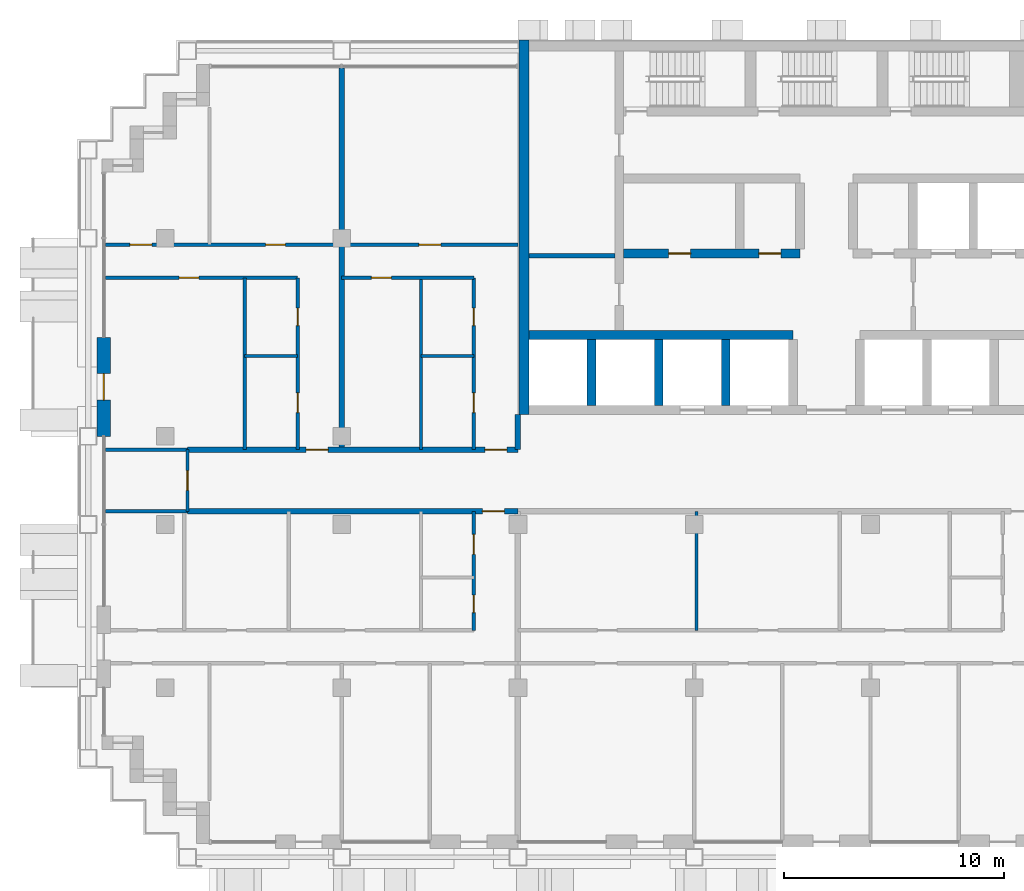
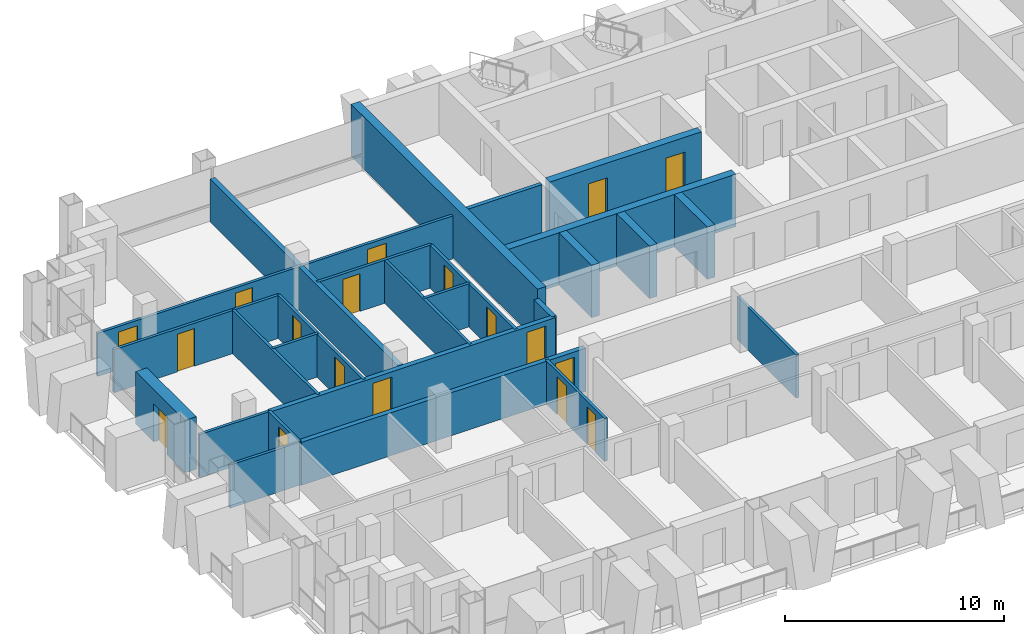
# One storey, part 8 of 17: 27 walls, 18 doors, 18 openings.
"""IFC4 building model written with IfcOpenShell, lengths in metres."""

from ifc_helpers import new_model, si_unit, direction, frame, frame_2d, origin, place, context, subcontext, project, spatial, rectangle, extrude, material, layer, layer_set, type_object, element, fill, save


model = new_model("IFC4")

# Units and contexts
model_context = context("Model", 3, precision=1e-05, world=origin(), true_north=direction((0.0, 1.0)))
body_context = subcontext(model_context, "Body", "Model", "MODEL_VIEW")
ifc_project = project(units=[si_unit("LENGTHUNIT", "METRE"), si_unit("AREAUNIT", "SQUARE_METRE"), si_unit("VOLUMEUNIT", "CUBIC_METRE"), si_unit("PLANEANGLEUNIT", "RADIAN"), si_unit("MASSUNIT", "GRAM", prefix="KILO")], contexts=[model_context])

# Site, building, storey
site_placement = place(None, origin())
site = spatial("IfcSite", under=ifc_project, at=site_placement, CompositionType="ELEMENT")
building_placement = place(site_placement, origin())
building = spatial("IfcBuilding", under=site, at=building_placement, Name="Vidyagriha Tower", CompositionType="ELEMENT")
storey_placement = place(building_placement, frame((0.0, 0.0, 139.0)))
storey = spatial("IfcBuildingStorey", under=building, at=storey_placement, Name="L36", CompositionType="ELEMENT", Elevation=139.0)

# Wall, opening, door
ifc_material_1 = material(Name="Precast concrete C40/50 with brick facing", Category="concrete")
ifc_layer_1 = layer(ifc_material_1, 0.60009765625)
ifc_layer_set_1 = layer_set([ifc_layer_1], Name="Precast concrete C40/50 with brick facing")
wall_type_1 = type_object("IfcWallType", Name="Brick-faced precast wall 600", PredefinedType="STANDARD", material=ifc_layer_set_1)
wall_1_placement = place(storey_placement, frame((-32.800048828125, 6.5, 0.0), z_axis=(0.0, 0.0, 1.0), x_axis=(0.0, -1.0, 0.0)))
wall_1 = element("IfcWall", 1, at=wall_1_placement, inside=storey, type_object=wall_type_1, Name="Brick door bay wall L36 R16.3", PredefinedType="STANDARD", context=body_context, shape_type="SweptSolid", body=[
    extrude(rectangle(XDim=4.5, YDim=0.60009765625, at=frame_2d((2.25, 0.0))), origin(), (0.0, 0.0, 1.0), 2.919921875),
])
opening_1_placement = place(wall_1_placement, frame((1.64990234375, 0.0, 0.0)))
opening_1 = element("IfcOpeningElement", 2, at=opening_1_placement, cuts=wall_1, Name="Opening D36-67", PredefinedType="OPENING", context=body_context, shape_type="SweptSolid", body=[
    extrude(rectangle(XDim=1.199951171875, YDim=2.10009765625, at=frame_2d((0.60009765625, 1.050048828125))), frame((0.0, 0.31005859375, 0.0), z_axis=(0.0, -1.0, 0.0), x_axis=(1.0, 0.0, 0.0)), (0.0, 0.0, 1.0), 0.6201171875),
])
ifc_material_2 = material(Name="Aluminium framed glazed sliding door", Category="aluminium")
door_type_1 = type_object("IfcDoorType", Name="Balcony sliding door 1200x2100", OperationType="NOTDEFINED", PredefinedType="DOOR", material=ifc_material_2)
door_1_placement = place(opening_1_placement, origin())
door_1 = element("IfcDoor", 3, at=door_1_placement, inside=storey, type_object=door_type_1, Name="Door D36-67", OperationType="SLIDING_TO_LEFT", OverallHeight=2.10009765625, OverallWidth=1.199951171875, PredefinedType="DOOR", context=body_context, shape_type="SweptSolid", body=[
    extrude(rectangle(XDim=1.199951171875, YDim=2.10009765625, at=frame_2d((0.60009765625, 1.050048828125))), frame((0.0, 0.02490234375, 0.0), z_axis=(0.0, -1.0, 0.0), x_axis=(1.0, 0.0, 0.0)), (0.0, 0.0, 1.0), 0.050048828125),
])
fill(opening_1, door_1)

# Walls
ifc_material_3 = material(Name="Concrete C60/75", Category="concrete")
ifc_layer_2 = layer(ifc_material_3, 0.39990234375)
ifc_layer_set_2 = layer_set([ifc_layer_2], Name="Concrete C60/75")
wall_type_2 = type_object("IfcWallType", Name="Core shear wall 400 mm", PredefinedType="SHEAR", material=ifc_layer_set_2)
wall_2_placement = place(storey_placement, frame((-13.5, 6.60009765625, 0.0)))
element("IfcWall", 4, at=wall_2_placement, inside=storey, type_object=wall_type_2, Name="Core lobby south wall west", PredefinedType="SHEAR", context=body_context, shape_type="SweptSolid", body=[
    extrude(rectangle(XDim=11.977783203125, YDim=0.39990234375, at=frame_2d((5.98876953125, 0.0))), origin(), (0.0, 0.0, 1.0), 2.919921875),
])
for number, where, z_axis, x_axis, name in (
    (5, (-10.655517578125, 3.39990234375, 0.0), (0.0, 0.0, 1.0), (0.0, 1.0, 0.0), "Core bay wall S1"),
    (6, (-7.611083984375, 3.39990234375, 0.0), (0.0, 0.0, 1.0), (0.0, 1.0, 0.0), "Core bay wall S2"),
    (7, (-4.566650390625, 3.39990234375, 0.0), (0.0, 0.0, 1.0), (0.0, 1.0, 0.0), "Core bay wall S3"),
):
    element("IfcWall", number, at=place(storey_placement, frame(where, z_axis=z_axis, x_axis=x_axis)), inside=storey, type_object=wall_type_2, Name=name, PredefinedType="SHEAR", context=body_context, shape_type="SweptSolid", body=[
        extrude(rectangle(XDim=3.0, YDim=0.39990234375, at=frame_2d((1.5, 0.0))), origin(), (0.0, 0.0, 1.0), 2.919921875),
    ])

# Wall, openings, doors
wall_3_placement = place(storey_placement, frame((-9.199951171875, 10.300048828125, 0.0)))
wall_3 = element("IfcWall", 8, at=wall_3_placement, inside=storey, type_object=wall_type_2, Name="Core row N front wall", PredefinedType="SHEAR", context=body_context, shape_type="SweptSolid", body=[
    extrude(rectangle(XDim=8.0, YDim=0.39990234375, at=frame_2d((4.0, 0.0))), origin(), (0.0, 0.0, 1.0), 2.919921875),
])
opening_2_placement = place(wall_3_placement, frame((2.033203125, 0.0, 0.0)))
opening_2 = element("IfcOpeningElement", 9, at=opening_2_placement, cuts=wall_3, Name="Opening D36-02", PredefinedType="OPENING", context=body_context, shape_type="SweptSolid", body=[
    extrude(rectangle(XDim=1.0, YDim=2.10009765625, at=frame_2d((0.5, 1.050048828125))), frame((0.0, 0.2099609375, 0.0), z_axis=(0.0, -1.0, 0.0), x_axis=(1.0, 0.0, 0.0)), (0.0, 0.0, 1.0), 0.419921875),
])
opening_3_placement = place(wall_3_placement, frame((6.13330078125, 0.0, 0.0)))
opening_3 = element("IfcOpeningElement", 10, at=opening_3_placement, cuts=wall_3, Name="Opening D36-03", PredefinedType="OPENING", context=body_context, shape_type="SweptSolid", body=[
    extrude(rectangle(XDim=1.0, YDim=2.10009765625, at=frame_2d((0.5, 1.050048828125))), frame((0.0, 0.2099609375, 0.0), z_axis=(0.0, -1.0, 0.0), x_axis=(1.0, 0.0, 0.0)), (0.0, 0.0, 1.0), 0.419921875),
])
ifc_material_4 = material(Name="Hollow metal door leaf")
door_type_2 = type_object("IfcDoorType", Name="Core room door 1000 x 2100 mm EI 60", OperationType="NOTDEFINED", PredefinedType="DOOR", material=ifc_material_4)
door_2_placement = place(opening_2_placement, frame((1.0, 0.0, 0.0), z_axis=(0.0, 0.0, 1.0), x_axis=(-1.0, 0.0, 0.0)))
door_2 = element("IfcDoor", 11, at=door_2_placement, inside=storey, type_object=door_type_2, Name="Door Storage Room 36.14", OperationType="SINGLE_SWING_RIGHT", OverallHeight=2.10009765625, OverallWidth=1.0, PredefinedType="DOOR", context=body_context, shape_type="SweptSolid", body=[
    extrude(rectangle(XDim=1.0, YDim=2.10009765625, at=frame_2d((0.5, 1.050048828125))), frame((0.0, 0.02490234375, 0.0), z_axis=(0.0, -1.0, 0.0), x_axis=(1.0, 0.0, 0.0)), (0.0, 0.0, 1.0), 0.050048828125),
])
fill(opening_2, door_2)
door_3_placement = place(opening_3_placement, frame((1.0, 0.0, 0.0), z_axis=(0.0, 0.0, 1.0), x_axis=(-1.0, 0.0, 0.0)))
door_3 = element("IfcDoor", 12, at=door_3_placement, inside=storey, type_object=door_type_2, Name="Door Communications Room 36.15", OperationType="SINGLE_SWING_LEFT", OverallHeight=2.10009765625, OverallWidth=1.0, PredefinedType="DOOR", context=body_context, shape_type="SweptSolid", body=[
    extrude(rectangle(XDim=1.0, YDim=2.10009765625, at=frame_2d((0.5, 1.050048828125))), frame((0.0, 0.02490234375, 0.0), z_axis=(0.0, -1.0, 0.0), x_axis=(1.0, 0.0, 0.0)), (0.0, 0.0, 1.0), 0.050048828125),
])
fill(opening_3, door_3)

# Wall
ifc_material_5 = material(Name="Concrete C60/75", Category="concrete")
ifc_layer_3 = layer(ifc_material_5, 0.449951171875)
ifc_layer_set_3 = layer_set([ifc_layer_3], Name="Concrete C60/75")
wall_type_3 = type_object("IfcWallType", Name="Core shear wall 450 mm", PredefinedType="SHEAR", material=ifc_layer_set_3)
wall_4_placement = place(storey_placement, frame((-13.72509765625, 3.0, 0.0), z_axis=(0.0, 0.0, 1.0), x_axis=(0.0, 1.0, 0.0)))
element("IfcWall", 13, at=wall_4_placement, inside=storey, type_object=wall_type_3, Name="Core west wall", PredefinedType="SHEAR", context=body_context, shape_type="SweptSolid", body=[
    extrude(rectangle(XDim=17.0, YDim=0.449951171875, at=frame_2d((8.5, 0.0))), origin(), (0.0, 0.0, 1.0), 2.919921875),
])

# Wall, opening, door
ifc_material_6 = material(Name="Fired clay brick masonry", Category="masonry")
ifc_layer_4 = layer(ifc_material_6, 0.25)
ifc_layer_set_4 = layer_set([ifc_layer_4], Name="Fired clay brick masonry")
wall_type_4 = type_object("IfcWallType", Name="Fired clay brick corridor wall 250", PredefinedType="PARTITIONING", material=ifc_layer_set_4)
wall_5_placement = place(storey_placement, frame((-14.0, -1.39990234375, 0.0), z_axis=(0.0, 0.0, 1.0), x_axis=(-1.0, 0.0, 0.0)))
wall_5 = element("IfcWall", 14, at=wall_5_placement, inside=storey, type_object=wall_type_4, Name="Wall all-L36-w067", PredefinedType="PARTITIONING", context=body_context, shape_type="SweptSolid", body=[
    extrude(rectangle(XDim=15.0, YDim=0.25, at=frame_2d((7.5, 0.0))), origin(), (0.0, 0.0, 1.0), 2.39990234375),
])
opening_4_placement = place(wall_5_placement, frame((0.617919921875, 0.0, 0.0)))
opening_4 = element("IfcOpeningElement", 15, at=opening_4_placement, cuts=wall_5, Name="Opening D36-22", PredefinedType="OPENING", context=body_context, shape_type="SweptSolid", body=[
    extrude(rectangle(XDim=1.0, YDim=2.10009765625, at=frame_2d((0.5, 1.050048828125))), frame((0.0, 0.135009765625, 0.0), z_axis=(0.0, -1.0, 0.0), x_axis=(1.0, 0.0, 0.0)), (0.0, 0.0, 1.0), 0.27001953125),
])
ifc_material_7 = material(Name="Fire-rated timber door leaf EI 60", Category="wood")
door_type_3 = type_object("IfcDoorType", Name="Flat entrance fire door 1000x2100", OperationType="NOTDEFINED", PredefinedType="DOOR", material=ifc_material_7)
door_4_placement = place(opening_4_placement, origin())
door_4 = element("IfcDoor", 16, at=door_4_placement, inside=storey, type_object=door_type_3, Name="Door D36-22", OperationType="SINGLE_SWING_LEFT", OverallHeight=2.10009765625, OverallWidth=1.0, PredefinedType="DOOR", context=body_context, shape_type="SweptSolid", body=[
    extrude(rectangle(XDim=1.0, YDim=2.10009765625, at=frame_2d((0.5, 1.050048828125))), frame((0.0, 0.02490234375, 0.0), z_axis=(0.0, -1.0, 0.0), x_axis=(1.0, 0.0, 0.0)), (0.0, 0.0, 1.0), 0.050048828125),
])
fill(opening_4, door_4)

# Wall, openings, doors
wall_6_placement = place(storey_placement, frame((-29.0, 1.39990234375, 0.0)))
wall_6 = element("IfcWall", 17, at=wall_6_placement, inside=storey, type_object=wall_type_4, Name="Wall all-L36-w094", PredefinedType="PARTITIONING", context=body_context, shape_type="SweptSolid", body=[
    extrude(rectangle(XDim=15.0, YDim=0.25, at=frame_2d((7.5, 0.0))), origin(), (0.0, 0.0, 1.0), 2.39990234375),
])
opening_5_placement = place(wall_6_placement, frame((5.382080078125, 0.0, 0.0)))
opening_5 = element("IfcOpeningElement", 18, at=opening_5_placement, cuts=wall_6, Name="Opening D36-50", PredefinedType="OPENING", context=body_context, shape_type="SweptSolid", body=[
    extrude(rectangle(XDim=1.0, YDim=2.10009765625, at=frame_2d((0.5, 1.050048828125))), frame((0.0, 0.135009765625, 0.0), z_axis=(0.0, -1.0, 0.0), x_axis=(1.0, 0.0, 0.0)), (0.0, 0.0, 1.0), 0.27001953125),
])
opening_6_placement = place(wall_6_placement, frame((13.5, 0.0, 0.0)))
opening_6 = element("IfcOpeningElement", 19, at=opening_6_placement, cuts=wall_6, Name="Opening D36-55", PredefinedType="OPENING", context=body_context, shape_type="SweptSolid", body=[
    extrude(rectangle(XDim=1.0, YDim=2.10009765625, at=frame_2d((0.5, 1.050048828125))), frame((0.0, 0.135009765625, 0.0), z_axis=(0.0, -1.0, 0.0), x_axis=(1.0, 0.0, 0.0)), (0.0, 0.0, 1.0), 0.27001953125),
])
door_5_placement = place(opening_5_placement, origin())
door_5 = element("IfcDoor", 20, at=door_5_placement, inside=storey, type_object=door_type_3, Name="Door D36-50", OperationType="SINGLE_SWING_RIGHT", OverallHeight=2.10009765625, OverallWidth=1.0, PredefinedType="DOOR", context=body_context, shape_type="SweptSolid", body=[
    extrude(rectangle(XDim=1.0, YDim=2.10009765625, at=frame_2d((0.5, 1.050048828125))), frame((0.0, 0.02490234375, 0.0), z_axis=(0.0, -1.0, 0.0), x_axis=(1.0, 0.0, 0.0)), (0.0, 0.0, 1.0), 0.050048828125),
])
fill(opening_5, door_5)
door_6_placement = place(opening_6_placement, origin())
door_6 = element("IfcDoor", 21, at=door_6_placement, inside=storey, type_object=door_type_3, Name="Door D36-55", OperationType="SINGLE_SWING_RIGHT", OverallHeight=2.10009765625, OverallWidth=1.0, PredefinedType="DOOR", context=body_context, shape_type="SweptSolid", body=[
    extrude(rectangle(XDim=1.0, YDim=2.10009765625, at=frame_2d((0.5, 1.050048828125))), frame((0.0, 0.02490234375, 0.0), z_axis=(0.0, -1.0, 0.0), x_axis=(1.0, 0.0, 0.0)), (0.0, 0.0, 1.0), 0.050048828125),
])
fill(opening_6, door_6)

# Walls
wall_7_placement = place(storey_placement, frame((-14.0, 3.0, 0.0), z_axis=(0.0, 0.0, 1.0), x_axis=(0.0, -1.0, 0.0)))
element("IfcWall", 22, at=wall_7_placement, inside=storey, type_object=wall_type_4, Name="Wall all-L36-w121", PredefinedType="PARTITIONING", context=body_context, shape_type="SweptSolid", body=[
    extrude(rectangle(XDim=1.60009765625, YDim=0.25, at=frame_2d((0.800048828125, 0.0))), origin(), (0.0, 0.0, 1.0), 2.39990234375),
])
ifc_material_8 = material(Name="Fired clay brick masonry", Category="masonry")
ifc_layer_5 = layer(ifc_material_8, 0.25)
ifc_layer_set_5 = layer_set([ifc_layer_5], Name="Fired clay brick masonry")
wall_type_5 = type_object("IfcWallType", Name="Fired clay brick demising wall 250", PredefinedType="PARTITIONING", material=ifc_layer_set_5)
wall_8_placement = place(storey_placement, frame((-22.0, 18.720947265625, 0.0), z_axis=(0.0, 0.0, 1.0), x_axis=(0.0, -1.0, 0.0)))
element("IfcWall", 23, at=wall_8_placement, inside=storey, type_object=wall_type_5, Name="Wall all-L36-w093", PredefinedType="PARTITIONING", context=body_context, shape_type="SweptSolid", body=[
    extrude(rectangle(XDim=17.321044921875, YDim=0.25, at=frame_2d((8.66064453125, 0.0))), origin(), (0.0, 0.0, 1.0), 2.39990234375),
])
ifc_material_9 = material(Name="Gypsum board partition")
ifc_layer_6 = layer(ifc_material_9, 0.14990234375)
ifc_layer_set_6 = layer_set([ifc_layer_6], Name="Gypsum board partition")
wall_type_6 = type_object("IfcWallType", Name="Gypsum board partition 150", PredefinedType="PARTITIONING", material=ifc_layer_set_6)
wall_9_placement = place(storey_placement, frame((-5.89990234375, -6.800048828125, 0.0), z_axis=(0.0, 0.0, 1.0), x_axis=(0.0, 1.0, 0.0)))
element("IfcWall", 24, at=wall_9_placement, inside=storey, type_object=wall_type_6, Name="Wall all-L36-w027", PredefinedType="PARTITIONING", context=body_context, shape_type="SweptSolid", body=[
    extrude(rectangle(XDim=5.400146484375, YDim=0.14990234375, at=frame_2d((2.7001953125, 0.0))), origin(), (0.0, 0.0, 1.0), 2.39990234375),
])
wall_10_placement = place(storey_placement, frame((-29.0, -1.39990234375, 0.0), z_axis=(0.0, 0.0, 1.0), x_axis=(-1.0, 0.0, 0.0)))
element("IfcWall", 25, at=wall_10_placement, inside=storey, type_object=wall_type_6, Name="Wall all-L36-w068", PredefinedType="PARTITIONING", context=body_context, shape_type="SweptSolid", body=[
    extrude(rectangle(XDim=3.719970703125, YDim=0.14990234375, at=frame_2d((1.85986328125, 0.0))), origin(), (0.0, 0.0, 1.0), 2.39990234375),
])
wall_11_placement = place(storey_placement, frame((-26.39990234375, 5.64990234375, 0.0)))
element("IfcWall", 26, at=wall_11_placement, inside=storey, type_object=wall_type_6, Name="Wall all-L36-w074", PredefinedType="PARTITIONING", context=body_context, shape_type="SweptSolid", body=[
    extrude(rectangle(XDim=2.39990234375, YDim=0.14990234375, at=frame_2d((1.199951171875, 0.0))), origin(), (0.0, 0.0, 1.0), 2.39990234375),
])
wall_12_placement = place(storey_placement, frame((-26.39990234375, 1.39990234375, 0.0), z_axis=(0.0, 0.0, 1.0), x_axis=(0.0, 1.0, 0.0)))
element("IfcWall", 27, at=wall_12_placement, inside=storey, type_object=wall_type_6, Name="Wall all-L36-w075", PredefinedType="PARTITIONING", context=body_context, shape_type="SweptSolid", body=[
    extrude(rectangle(XDim=7.800048828125, YDim=0.14990234375, at=frame_2d((3.89990234375, 0.0))), origin(), (0.0, 0.0, 1.0), 2.39990234375),
])

# Wall, opening, door
wall_13_placement = place(storey_placement, frame((-24.0, 9.199951171875, 0.0), z_axis=(0.0, 0.0, 1.0), x_axis=(-1.0, 0.0, 0.0)))
wall_13 = element("IfcWall", 28, at=wall_13_placement, inside=storey, type_object=wall_type_6, Name="Wall all-L36-w076", PredefinedType="PARTITIONING", context=body_context, shape_type="SweptSolid", body=[
    extrude(rectangle(XDim=8.719970703125, YDim=0.14990234375, at=frame_2d((4.35986328125, 0.0))), origin(), (0.0, 0.0, 1.0), 2.39990234375),
])
opening_7_placement = place(wall_13_placement, frame((4.48193359375, 0.0, 0.0)))
opening_7 = element("IfcOpeningElement", 29, at=opening_7_placement, cuts=wall_13, Name="Opening D36-47", PredefinedType="OPENING", context=body_context, shape_type="SweptSolid", body=[
    extrude(rectangle(XDim=0.89990234375, YDim=2.10009765625, at=frame_2d((0.449951171875, 1.050048828125))), frame((0.0, 0.0849609375, 0.0), z_axis=(0.0, -1.0, 0.0), x_axis=(1.0, 0.0, 0.0)), (0.0, 0.0, 1.0), 0.169921875),
])
ifc_material_10 = material(Name="Timber door leaf", Category="wood")
door_type_4 = type_object("IfcDoorType", Name="Room door 900x2100", OperationType="NOTDEFINED", PredefinedType="DOOR", material=ifc_material_10)
door_7_placement = place(opening_7_placement, origin())
door_7 = element("IfcDoor", 30, at=door_7_placement, inside=storey, type_object=door_type_4, Name="Door D36-47", OperationType="SINGLE_SWING_LEFT", OverallHeight=2.10009765625, OverallWidth=0.89990234375, PredefinedType="DOOR", context=body_context, shape_type="SweptSolid", body=[
    extrude(rectangle(XDim=0.89990234375, YDim=2.10009765625, at=frame_2d((0.449951171875, 1.050048828125))), frame((0.0, 0.02490234375, 0.0), z_axis=(0.0, -1.0, 0.0), x_axis=(1.0, 0.0, 0.0)), (0.0, 0.0, 1.0), 0.050048828125),
])
fill(opening_7, door_7)

# Wall, openings, doors
wall_14_placement = place(storey_placement, frame((-32.719970703125, 10.699951171875, 0.0)))
wall_14 = element("IfcWall", 31, at=wall_14_placement, inside=storey, type_object=wall_type_6, Name="Wall all-L36-w078", PredefinedType="PARTITIONING", context=body_context, shape_type="SweptSolid", body=[
    extrude(rectangle(XDim=10.719970703125, YDim=0.14990234375, at=frame_2d((5.35986328125, 0.0))), origin(), (0.0, 0.0, 1.0), 2.39990234375),
])
opening_8_placement = place(wall_14_placement, frame((1.10205078125, 0.0, 0.0)))
opening_8 = element("IfcOpeningElement", 32, at=opening_8_placement, cuts=wall_14, Name="Opening D36-48", PredefinedType="OPENING", context=body_context, shape_type="SweptSolid", body=[
    extrude(rectangle(XDim=1.0, YDim=2.10009765625, at=frame_2d((0.5, 1.050048828125))), frame((0.0, 0.0849609375, 0.0), z_axis=(0.0, -1.0, 0.0), x_axis=(1.0, 0.0, 0.0)), (0.0, 0.0, 1.0), 0.169921875),
])
opening_9_placement = place(wall_14_placement, frame((7.27001953125, 0.0, 0.0)))
opening_9 = element("IfcOpeningElement", 33, at=opening_9_placement, cuts=wall_14, Name="Opening D36-49", PredefinedType="OPENING", context=body_context, shape_type="SweptSolid", body=[
    extrude(rectangle(XDim=0.89990234375, YDim=2.10009765625, at=frame_2d((0.449951171875, 1.050048828125))), frame((0.0, 0.0849609375, 0.0), z_axis=(0.0, -1.0, 0.0), x_axis=(1.0, 0.0, 0.0)), (0.0, 0.0, 1.0), 0.169921875),
])
ifc_material_11 = material(Name="Timber door leaf", Category="wood")
door_type_5 = type_object("IfcDoorType", Name="Room door 1000x2100", OperationType="NOTDEFINED", PredefinedType="DOOR", material=ifc_material_11)
door_8_placement = place(opening_8_placement, origin())
door_8 = element("IfcDoor", 34, at=door_8_placement, inside=storey, type_object=door_type_5, Name="Door D36-48", OperationType="SINGLE_SWING_LEFT", OverallHeight=2.10009765625, OverallWidth=1.0, PredefinedType="DOOR", context=body_context, shape_type="SweptSolid", body=[
    extrude(rectangle(XDim=1.0, YDim=2.10009765625, at=frame_2d((0.5, 1.050048828125))), frame((0.0, 0.02490234375, 0.0), z_axis=(0.0, -1.0, 0.0), x_axis=(1.0, 0.0, 0.0)), (0.0, 0.0, 1.0), 0.050048828125),
])
fill(opening_8, door_8)
door_9_placement = place(opening_9_placement, origin())
door_9 = element("IfcDoor", 35, at=door_9_placement, inside=storey, type_object=door_type_4, Name="Door D36-49", OperationType="SINGLE_SWING_RIGHT", OverallHeight=2.10009765625, OverallWidth=0.89990234375, PredefinedType="DOOR", context=body_context, shape_type="SweptSolid", body=[
    extrude(rectangle(XDim=0.89990234375, YDim=2.10009765625, at=frame_2d((0.449951171875, 1.050048828125))), frame((0.0, 0.02490234375, 0.0), z_axis=(0.0, -1.0, 0.0), x_axis=(1.0, 0.0, 0.0)), (0.0, 0.0, 1.0), 0.050048828125),
])
fill(opening_9, door_9)

# Walls
wall_15_placement = place(storey_placement, frame((-18.39990234375, 5.64990234375, 0.0)))
element("IfcWall", 36, at=wall_15_placement, inside=storey, type_object=wall_type_6, Name="Wall all-L36-w086", PredefinedType="PARTITIONING", context=body_context, shape_type="SweptSolid", body=[
    extrude(rectangle(XDim=2.39990234375, YDim=0.14990234375, at=frame_2d((1.199951171875, 0.0))), origin(), (0.0, 0.0, 1.0), 2.39990234375),
])
wall_16_placement = place(storey_placement, frame((-18.39990234375, 1.39990234375, 0.0), z_axis=(0.0, 0.0, 1.0), x_axis=(0.0, 1.0, 0.0)))
element("IfcWall", 37, at=wall_16_placement, inside=storey, type_object=wall_type_6, Name="Wall all-L36-w087", PredefinedType="PARTITIONING", context=body_context, shape_type="SweptSolid", body=[
    extrude(rectangle(XDim=7.800048828125, YDim=0.14990234375, at=frame_2d((3.89990234375, 0.0))), origin(), (0.0, 0.0, 1.0), 2.39990234375),
])

# Wall, opening, door
wall_17_placement = place(storey_placement, frame((-16.0, 9.199951171875, 0.0), z_axis=(0.0, 0.0, 1.0), x_axis=(-1.0, 0.0, 0.0)))
wall_17 = element("IfcWall", 38, at=wall_17_placement, inside=storey, type_object=wall_type_6, Name="Wall all-L36-w088", PredefinedType="PARTITIONING", context=body_context, shape_type="SweptSolid", body=[
    extrude(rectangle(XDim=6.0, YDim=0.14990234375, at=frame_2d((3.0, 0.0))), origin(), (0.0, 0.0, 1.0), 2.39990234375),
])
opening_10_placement = place(wall_17_placement, frame((3.75, 0.0, 0.0)))
opening_10 = element("IfcOpeningElement", 39, at=opening_10_placement, cuts=wall_17, Name="Opening D36-53", PredefinedType="OPENING", context=body_context, shape_type="SweptSolid", body=[
    extrude(rectangle(XDim=0.89990234375, YDim=2.10009765625, at=frame_2d((0.449951171875, 1.050048828125))), frame((0.0, 0.0849609375, 0.0), z_axis=(0.0, -1.0, 0.0), x_axis=(1.0, 0.0, 0.0)), (0.0, 0.0, 1.0), 0.169921875),
])
door_10_placement = place(opening_10_placement, origin())
door_10 = element("IfcDoor", 40, at=door_10_placement, inside=storey, type_object=door_type_4, Name="Door D36-53", OperationType="SINGLE_SWING_RIGHT", OverallHeight=2.10009765625, OverallWidth=0.89990234375, PredefinedType="DOOR", context=body_context, shape_type="SweptSolid", body=[
    extrude(rectangle(XDim=0.89990234375, YDim=2.10009765625, at=frame_2d((0.449951171875, 1.050048828125))), frame((0.0, 0.02490234375, 0.0), z_axis=(0.0, -1.0, 0.0), x_axis=(1.0, 0.0, 0.0)), (0.0, 0.0, 1.0), 0.050048828125),
])
fill(opening_10, door_10)

wall_18_placement = place(storey_placement, frame((-22.0, 10.699951171875, 0.0)))
wall_18 = element("IfcWall", 41, at=wall_18_placement, inside=storey, type_object=wall_type_6, Name="Wall all-L36-w090", PredefinedType="PARTITIONING", context=body_context, shape_type="SweptSolid", body=[
    extrude(rectangle(XDim=8.0, YDim=0.14990234375, at=frame_2d((4.0, 0.0))), origin(), (0.0, 0.0, 1.0), 2.39990234375),
])
opening_11_placement = place(wall_18_placement, frame((3.5, 0.0, 0.0)))
opening_11 = element("IfcOpeningElement", 42, at=opening_11_placement, cuts=wall_18, Name="Opening D36-54", PredefinedType="OPENING", context=body_context, shape_type="SweptSolid", body=[
    extrude(rectangle(XDim=1.0, YDim=2.10009765625, at=frame_2d((0.5, 1.050048828125))), frame((0.0, 0.0849609375, 0.0), z_axis=(0.0, -1.0, 0.0), x_axis=(1.0, 0.0, 0.0)), (0.0, 0.0, 1.0), 0.169921875),
])
door_11_placement = place(opening_11_placement, origin())
door_11 = element("IfcDoor", 43, at=door_11_placement, inside=storey, type_object=door_type_5, Name="Door D36-54", OperationType="SINGLE_SWING_RIGHT", OverallHeight=2.10009765625, OverallWidth=1.0, PredefinedType="DOOR", context=body_context, shape_type="SweptSolid", body=[
    extrude(rectangle(XDim=1.0, YDim=2.10009765625, at=frame_2d((0.5, 1.050048828125))), frame((0.0, 0.02490234375, 0.0), z_axis=(0.0, -1.0, 0.0), x_axis=(1.0, 0.0, 0.0)), (0.0, 0.0, 1.0), 0.050048828125),
])
fill(opening_11, door_11)

# Wall
wall_19_placement = place(storey_placement, frame((-32.719970703125, 1.39990234375, 0.0)))
element("IfcWall", 44, at=wall_19_placement, inside=storey, type_object=wall_type_6, Name="Wall all-L36-w095", PredefinedType="PARTITIONING", context=body_context, shape_type="SweptSolid", body=[
    extrude(rectangle(XDim=3.719970703125, YDim=0.14990234375, at=frame_2d((1.85986328125, 0.0))), origin(), (0.0, 0.0, 1.0), 2.39990234375),
])

# Wall, opening, door
wall_20_placement = place(storey_placement, frame((-29.0, 1.39990234375, 0.0), z_axis=(0.0, 0.0, 1.0), x_axis=(0.0, -1.0, 0.0)))
wall_20 = element("IfcWall", 45, at=wall_20_placement, inside=storey, type_object=wall_type_6, Name="Wall all-L36-w116", PredefinedType="PARTITIONING", context=body_context, shape_type="SweptSolid", body=[
    extrude(rectangle(XDim=2.7998046875, YDim=0.14990234375, at=frame_2d((1.39990234375, 0.0))), origin(), (0.0, 0.0, 1.0), 2.39990234375),
])
opening_12_placement = place(wall_20_placement, frame((0.949951171875, 0.0, 0.0)))
opening_12 = element("IfcOpeningElement", 46, at=opening_12_placement, cuts=wall_20, Name="Opening D36-65", PredefinedType="OPENING", context=body_context, shape_type="SweptSolid", body=[
    extrude(rectangle(XDim=0.89990234375, YDim=2.10009765625, at=frame_2d((0.449951171875, 1.050048828125))), frame((0.0, 0.0849609375, 0.0), z_axis=(0.0, -1.0, 0.0), x_axis=(1.0, 0.0, 0.0)), (0.0, 0.0, 1.0), 0.169921875),
])
door_12_placement = place(opening_12_placement, origin())
door_12 = element("IfcDoor", 47, at=door_12_placement, inside=storey, type_object=door_type_4, Name="Door D36-65", OperationType="SINGLE_SWING_RIGHT", OverallHeight=2.10009765625, OverallWidth=0.89990234375, PredefinedType="DOOR", context=body_context, shape_type="SweptSolid", body=[
    extrude(rectangle(XDim=0.89990234375, YDim=2.10009765625, at=frame_2d((0.449951171875, 1.050048828125))), frame((0.0, 0.02490234375, 0.0), z_axis=(0.0, -1.0, 0.0), x_axis=(1.0, 0.0, 0.0)), (0.0, 0.0, 1.0), 0.050048828125),
])
fill(opening_12, door_12)

# Wall, openings, doors
ifc_material_12 = material(Name="Moisture resistant gypsum board partition")
ifc_layer_7 = layer(ifc_material_12, 0.14990234375)
ifc_layer_set_7 = layer_set([ifc_layer_7], Name="Moisture resistant gypsum board partition")
wall_type_7 = type_object("IfcWallType", Name="Gypsum board wet-area partition 150", PredefinedType="PARTITIONING", material=ifc_layer_set_7)
wall_21_placement = place(storey_placement, frame((-16.0, -6.800048828125, 0.0), z_axis=(0.0, 0.0, 1.0), x_axis=(0.0, 1.0, 0.0)))
wall_21 = element("IfcWall", 48, at=wall_21_placement, inside=storey, type_object=wall_type_7, Name="Wall all-L36-w001", PredefinedType="PARTITIONING", context=body_context, shape_type="SweptSolid", body=[
    extrude(rectangle(XDim=5.400146484375, YDim=0.14990234375, at=frame_2d((2.7001953125, 0.0))), origin(), (0.0, 0.0, 1.0), 2.39990234375),
])
opening_13_placement = place(wall_21_placement, frame((3.449951171875, 0.0, 0.0)))
opening_13 = element("IfcOpeningElement", 49, at=opening_13_placement, cuts=wall_21, Name="Opening D36-13", PredefinedType="OPENING", context=body_context, shape_type="SweptSolid", body=[
    extrude(rectangle(XDim=0.89990234375, YDim=2.10009765625, at=frame_2d((0.449951171875, 1.050048828125))), frame((0.0, 0.0849609375, 0.0), z_axis=(0.0, -1.0, 0.0), x_axis=(1.0, 0.0, 0.0)), (0.0, 0.0, 1.0), 0.169921875),
])
opening_14_placement = place(wall_21_placement, frame((0.800048828125, 0.0, 0.0)))
opening_14 = element("IfcOpeningElement", 50, at=opening_14_placement, cuts=wall_21, Name="Opening D36-14", PredefinedType="OPENING", context=body_context, shape_type="SweptSolid", body=[
    extrude(rectangle(XDim=0.800048828125, YDim=2.10009765625, at=frame_2d((0.39990234375, 1.050048828125))), frame((0.0, 0.0849609375, 0.0), z_axis=(0.0, -1.0, 0.0), x_axis=(1.0, 0.0, 0.0)), (0.0, 0.0, 1.0), 0.169921875),
])
ifc_material_13 = material(Name="Timber door leaf", Category="wood")
door_type_6 = type_object("IfcDoorType", Name="Bathroom door 800x2100", OperationType="NOTDEFINED", PredefinedType="DOOR", material=ifc_material_13)
door_13_placement = place(opening_14_placement, origin())
door_13 = element("IfcDoor", 51, at=door_13_placement, inside=storey, type_object=door_type_6, Name="Door D36-14", OperationType="SINGLE_SWING_RIGHT", OverallHeight=2.10009765625, OverallWidth=0.800048828125, PredefinedType="DOOR", context=body_context, shape_type="SweptSolid", body=[
    extrude(rectangle(XDim=0.800048828125, YDim=2.10009765625, at=frame_2d((0.39990234375, 1.050048828125))), frame((0.0, 0.02490234375, 0.0), z_axis=(0.0, -1.0, 0.0), x_axis=(1.0, 0.0, 0.0)), (0.0, 0.0, 1.0), 0.050048828125),
])
fill(opening_14, door_13)
ifc_material_14 = material(Name="Timber door leaf", Category="wood")
door_type_7 = type_object("IfcDoorType", Name="Kitchen door 900x2100", OperationType="NOTDEFINED", PredefinedType="DOOR", material=ifc_material_14)
door_14_placement = place(opening_13_placement, origin())
door_14 = element("IfcDoor", 52, at=door_14_placement, inside=storey, type_object=door_type_7, Name="Door D36-13", OperationType="SINGLE_SWING_RIGHT", OverallHeight=2.10009765625, OverallWidth=0.89990234375, PredefinedType="DOOR", context=body_context, shape_type="SweptSolid", body=[
    extrude(rectangle(XDim=0.89990234375, YDim=2.10009765625, at=frame_2d((0.449951171875, 1.050048828125))), frame((0.0, 0.02490234375, 0.0), z_axis=(0.0, -1.0, 0.0), x_axis=(1.0, 0.0, 0.0)), (0.0, 0.0, 1.0), 0.050048828125),
])
fill(opening_13, door_14)

wall_22_placement = place(storey_placement, frame((-24.0, 1.39990234375, 0.0), z_axis=(0.0, 0.0, 1.0), x_axis=(0.0, 1.0, 0.0)))
wall_22 = element("IfcWall", 53, at=wall_22_placement, inside=storey, type_object=wall_type_7, Name="Wall all-L36-w071", PredefinedType="PARTITIONING", context=body_context, shape_type="SweptSolid", body=[
    extrude(rectangle(XDim=7.800048828125, YDim=0.14990234375, at=frame_2d((3.89990234375, 0.0))), origin(), (0.0, 0.0, 1.0), 2.39990234375),
])
opening_15_placement = place(wall_22_placement, frame((1.675048828125, 0.0, 0.0)))
opening_15 = element("IfcOpeningElement", 54, at=opening_15_placement, cuts=wall_22, Name="Opening D36-45", PredefinedType="OPENING", context=body_context, shape_type="SweptSolid", body=[
    extrude(rectangle(XDim=0.89990234375, YDim=2.10009765625, at=frame_2d((0.449951171875, 1.050048828125))), frame((0.0, 0.0849609375, 0.0), z_axis=(0.0, -1.0, 0.0), x_axis=(1.0, 0.0, 0.0)), (0.0, 0.0, 1.0), 0.169921875),
])
opening_16_placement = place(wall_22_placement, frame((5.625, 0.0, 0.0)))
opening_16 = element("IfcOpeningElement", 55, at=opening_16_placement, cuts=wall_22, Name="Opening D36-46", PredefinedType="OPENING", context=body_context, shape_type="SweptSolid", body=[
    extrude(rectangle(XDim=0.800048828125, YDim=2.10009765625, at=frame_2d((0.39990234375, 1.050048828125))), frame((0.0, 0.0849609375, 0.0), z_axis=(0.0, -1.0, 0.0), x_axis=(1.0, 0.0, 0.0)), (0.0, 0.0, 1.0), 0.169921875),
])
door_15_placement = place(opening_16_placement, origin())
door_15 = element("IfcDoor", 56, at=door_15_placement, inside=storey, type_object=door_type_6, Name="Door D36-46", OperationType="SINGLE_SWING_RIGHT", OverallHeight=2.10009765625, OverallWidth=0.800048828125, PredefinedType="DOOR", context=body_context, shape_type="SweptSolid", body=[
    extrude(rectangle(XDim=0.800048828125, YDim=2.10009765625, at=frame_2d((0.39990234375, 1.050048828125))), frame((0.0, 0.02490234375, 0.0), z_axis=(0.0, -1.0, 0.0), x_axis=(1.0, 0.0, 0.0)), (0.0, 0.0, 1.0), 0.050048828125),
])
fill(opening_16, door_15)
door_16_placement = place(opening_15_placement, origin())
door_16 = element("IfcDoor", 57, at=door_16_placement, inside=storey, type_object=door_type_7, Name="Door D36-45", OperationType="SINGLE_SWING_LEFT", OverallHeight=2.10009765625, OverallWidth=0.89990234375, PredefinedType="DOOR", context=body_context, shape_type="SweptSolid", body=[
    extrude(rectangle(XDim=0.89990234375, YDim=2.10009765625, at=frame_2d((0.449951171875, 1.050048828125))), frame((0.0, 0.02490234375, 0.0), z_axis=(0.0, -1.0, 0.0), x_axis=(1.0, 0.0, 0.0)), (0.0, 0.0, 1.0), 0.050048828125),
])
fill(opening_15, door_16)

wall_23_placement = place(storey_placement, frame((-16.0, 1.39990234375, 0.0), z_axis=(0.0, 0.0, 1.0), x_axis=(0.0, 1.0, 0.0)))
wall_23 = element("IfcWall", 58, at=wall_23_placement, inside=storey, type_object=wall_type_7, Name="Wall all-L36-w083", PredefinedType="PARTITIONING", context=body_context, shape_type="SweptSolid", body=[
    extrude(rectangle(XDim=7.800048828125, YDim=0.14990234375, at=frame_2d((3.89990234375, 0.0))), origin(), (0.0, 0.0, 1.0), 2.39990234375),
])
opening_17_placement = place(wall_23_placement, frame((1.675048828125, 0.0, 0.0)))
opening_17 = element("IfcOpeningElement", 59, at=opening_17_placement, cuts=wall_23, Name="Opening D36-51", PredefinedType="OPENING", context=body_context, shape_type="SweptSolid", body=[
    extrude(rectangle(XDim=0.89990234375, YDim=2.10009765625, at=frame_2d((0.449951171875, 1.050048828125))), frame((0.0, 0.0849609375, 0.0), z_axis=(0.0, -1.0, 0.0), x_axis=(1.0, 0.0, 0.0)), (0.0, 0.0, 1.0), 0.169921875),
])
opening_18_placement = place(wall_23_placement, frame((5.625, 0.0, 0.0)))
opening_18 = element("IfcOpeningElement", 60, at=opening_18_placement, cuts=wall_23, Name="Opening D36-52", PredefinedType="OPENING", context=body_context, shape_type="SweptSolid", body=[
    extrude(rectangle(XDim=0.800048828125, YDim=2.10009765625, at=frame_2d((0.39990234375, 1.050048828125))), frame((0.0, 0.0849609375, 0.0), z_axis=(0.0, -1.0, 0.0), x_axis=(1.0, 0.0, 0.0)), (0.0, 0.0, 1.0), 0.169921875),
])
door_17_placement = place(opening_18_placement, origin())
door_17 = element("IfcDoor", 61, at=door_17_placement, inside=storey, type_object=door_type_6, Name="Door D36-52", OperationType="SINGLE_SWING_RIGHT", OverallHeight=2.10009765625, OverallWidth=0.800048828125, PredefinedType="DOOR", context=body_context, shape_type="SweptSolid", body=[
    extrude(rectangle(XDim=0.800048828125, YDim=2.10009765625, at=frame_2d((0.39990234375, 1.050048828125))), frame((0.0, 0.02490234375, 0.0), z_axis=(0.0, -1.0, 0.0), x_axis=(1.0, 0.0, 0.0)), (0.0, 0.0, 1.0), 0.050048828125),
])
fill(opening_18, door_17)
door_18_placement = place(opening_17_placement, origin())
door_18 = element("IfcDoor", 62, at=door_18_placement, inside=storey, type_object=door_type_7, Name="Door D36-51", OperationType="SINGLE_SWING_LEFT", OverallHeight=2.10009765625, OverallWidth=0.89990234375, PredefinedType="DOOR", context=body_context, shape_type="SweptSolid", body=[
    extrude(rectangle(XDim=0.89990234375, YDim=2.10009765625, at=frame_2d((0.449951171875, 1.050048828125))), frame((0.0, 0.02490234375, 0.0), z_axis=(0.0, -1.0, 0.0), x_axis=(1.0, 0.0, 0.0)), (0.0, 0.0, 1.0), 0.050048828125),
])
fill(opening_17, door_18)

# Wall
ifc_material_15 = material(Name="Blockwork 15 MPa", Category="masonry")
ifc_layer_8 = layer(ifc_material_15, 0.199951171875)
ifc_layer_set_8 = layer_set([ifc_layer_8], Name="Blockwork 15 MPa")
wall_type_8 = type_object("IfcWallType", Name="Service room partition 200 mm", PredefinedType="PARTITIONING", material=ifc_layer_set_8)
wall_24_placement = place(storey_placement, frame((-13.5, 10.199951171875, 0.0)))
element("IfcWall", 63, at=wall_24_placement, inside=storey, type_object=wall_type_8, Name="Core room partition W1", PredefinedType="PARTITIONING", context=body_context, shape_type="SweptSolid", body=[
    extrude(rectangle(XDim=3.89990234375, YDim=0.199951171875, at=frame_2d((1.949951171875, 0.0))), origin(), (0.0, 0.0, 1.0), 2.919921875),
])

save(model, "model.ifc")
